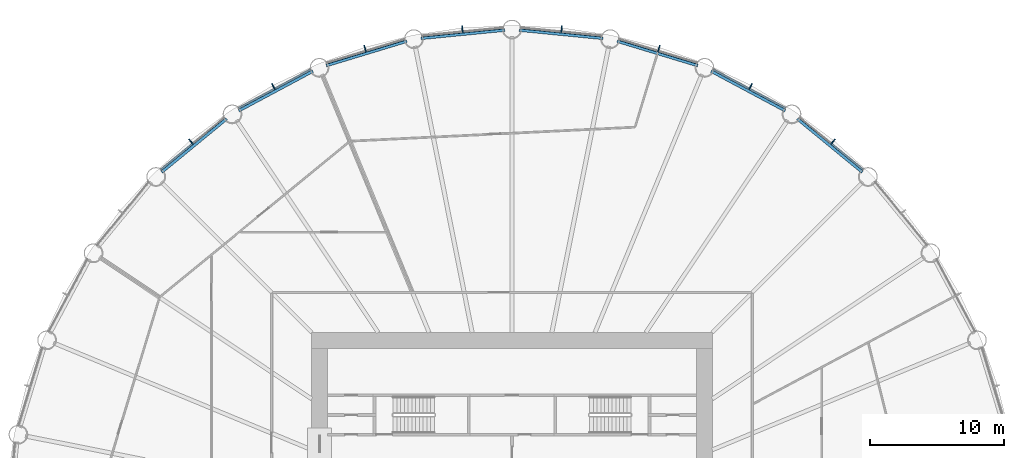
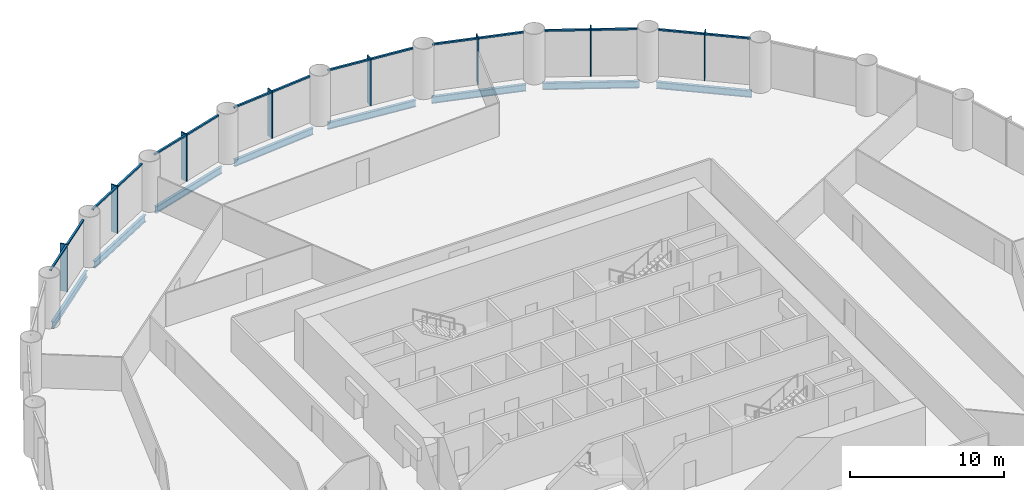
# One storey, part 7 of 14: 24 members, 8 beams, 8 elements without a shape of their own.
"""IFC4 building model written with IfcOpenShell, lengths in metres."""

from ifc_helpers import new_model, si_unit, direction, frame, origin, origin_2d, place, context, subcontext, project, spatial, rectangle, i_section, extrude, material, material_profile, profile_set, type_object, element, aggregate, save


model = new_model("IFC4")

# Units and contexts
model_context = context("Model", 3, precision=1e-05, world=origin(), true_north=direction((0.0, 1.0)))
body_context = subcontext(model_context, "Body", "Model", "MODEL_VIEW")
ifc_project = project(units=[si_unit("LENGTHUNIT", "METRE"), si_unit("AREAUNIT", "SQUARE_METRE"), si_unit("VOLUMEUNIT", "CUBIC_METRE"), si_unit("PLANEANGLEUNIT", "RADIAN"), si_unit("MASSUNIT", "GRAM", prefix="KILO")], contexts=[model_context])

# Site, building, storey
site_placement = place(None, origin())
site = spatial("IfcSite", under=ifc_project, at=site_placement, CompositionType="ELEMENT")
building_placement = place(site_placement, origin())
building = spatial("IfcBuilding", under=site, at=building_placement, Name="Corvane Civic Tower", CompositionType="ELEMENT")
storey_placement = place(building_placement, frame((0.0, 0.0, 81.0)))
storey = spatial("IfcBuildingStorey", under=building, at=storey_placement, Name="L18", CompositionType="ELEMENT", Elevation=81.0)

# Beams
ifc_material_1 = material(Name="Steel ASTM A992 Gr 50", Category="steel")
ifc_material_profile_1 = material_profile(ifc_material_1, i_section(OverallWidth=0.209228515625, OverallDepth=0.533447265625, WebThickness=0.01025390625, FlangeThickness=0.015625, at=origin_2d()), Name="W21X62")
ifc_profile_set_1 = profile_set([ifc_material_profile_1], Name="Steel ASTM A992 Gr 50")
beam_type = type_object("IfcBeamType", Name="EDGE BEAM W21X62", PredefinedType="BEAM", material=ifc_profile_set_1)
beam_1_placement = place(storey_placement, frame((0.54736328125, 37.64599609375, -0.566650390625), z_axis=(0.995186682089, -0.097997284622, 0.0), x_axis=(0.097997284622, 0.995186682089, 0.0)))
element("IfcBeam", 1, at=beam_1_placement, inside=storey, type_object=beam_type, Name="BM-L18-E01", PredefinedType="BEAM", context=body_context, shape_type="SweptSolid", body=[
    extrude(i_section(OverallWidth=0.209228515625, OverallDepth=0.533447265625, WebThickness=0.01025390625, FlangeThickness=0.015625, at=origin_2d()), origin(), (0.0, 0.0, 1.0), 6.29052734375),
])
for number, where, z_axis, x_axis, name in (
    (2, (7.88134765625, 36.81591796875, -0.566650390625), (0.956943740748, -0.290273452184, 0.0), (0.290273452184, 0.956943740748, 0.0), "BM-L18-E02"),
    (3, (14.912353515625, 34.571044921875, -0.566650390625), (0.881916367906, -0.471405897311, 0.0), (0.471405897311, 0.881916367906, 0.0), "BM-L18-E03"),
):
    element("IfcBeam", number, at=place(storey_placement, frame(where, z_axis=z_axis, x_axis=x_axis)), inside=storey, type_object=beam_type, Name=name, PredefinedType="BEAM", context=body_context, shape_type="SweptSolid", body=[
        extrude(i_section(OverallWidth=0.209228515625, OverallDepth=0.533447265625, WebThickness=0.01025390625, FlangeThickness=0.015625, at=origin_2d()), origin(), (0.0, 0.0, 1.0), 6.290283203125),
    ])
for number, where, z_axis, x_axis, name in (
    (4, (21.3701171875, 30.99755859375, -0.566650390625), (0.773015785286, -0.634386787141, 0.0), (0.634386787141, 0.773015785286, 0.0), "BM-L18-E04"),
    (5, (-26.23291015625, 27.0068359375, -0.566650390625), (0.773015785286, 0.634386787141, 0.0), (-0.634386787141, 0.773015785286, 0.0), "BM-L18-E29"),
):
    element("IfcBeam", number, at=place(storey_placement, frame(where, z_axis=z_axis, x_axis=x_axis)), inside=storey, type_object=beam_type, Name=name, PredefinedType="BEAM", context=body_context, shape_type="SweptSolid", body=[
        extrude(i_section(OverallWidth=0.209228515625, OverallDepth=0.533447265625, WebThickness=0.01025390625, FlangeThickness=0.015625, at=origin_2d()), origin(), (0.0, 0.0, 1.0), 6.290771484375),
    ])
for number, where, z_axis, x_axis, name in (
    (6, (-20.4599609375, 31.605712890625, -0.566650390625), (0.881916367906, 0.471405897311, 0.0), (-0.471405897311, 0.881916367906, 0.0), "BM-L18-E30"),
    (7, (-13.90087890625, 34.989990234375, -0.566650390625), (0.956943740748, 0.290273452184, 0.0), (-0.290273452184, 0.956943740748, 0.0), "BM-L18-E31"),
):
    element("IfcBeam", number, at=place(storey_placement, frame(where, z_axis=z_axis, x_axis=x_axis)), inside=storey, type_object=beam_type, Name=name, PredefinedType="BEAM", context=body_context, shape_type="SweptSolid", body=[
        extrude(i_section(OverallWidth=0.209228515625, OverallDepth=0.533447265625, WebThickness=0.01025390625, FlangeThickness=0.015625, at=origin_2d()), origin(), (0.0, 0.0, 1.0), 6.290283203125),
    ])
beam_2_placement = place(storey_placement, frame((-6.8076171875, 37.029541015625, -0.566650390625), z_axis=(0.995186682089, 0.097997284622, 0.0), x_axis=(-0.097997284622, 0.995186682089, 0.0)))
element("IfcBeam", 8, at=beam_2_placement, inside=storey, type_object=beam_type, Name="BM-L18-E32", PredefinedType="BEAM", context=body_context, shape_type="SweptSolid", body=[
    extrude(i_section(OverallWidth=0.209228515625, OverallDepth=0.533447265625, WebThickness=0.01025390625, FlangeThickness=0.015625, at=origin_2d()), origin(), (0.0, 0.0, 1.0), 6.29052734375),
])

# Curtain wall, members
ifc_material_2 = material(Name="Anodised aluminium bronze", Category="aluminium")
curtain_wall_type = type_object("IfcCurtainWallType", Name="TOWER CW-T1 STICK CURTAIN WALL", PredefinedType="NOTDEFINED", material=ifc_material_2)
curtain_wall_1_placement = place(storey_placement, origin())
curtain_wall_1 = element("IfcCurtainWall", 9, at=curtain_wall_1_placement, inside=storey, type_object=curtain_wall_type, Name="Curtain wall CW-T1 L18 bay 01", PredefinedType="NOTDEFINED")
ifc_material_3 = material(Name="Anodised aluminium bronze", Category="aluminium")
ifc_material_profile_2 = material_profile(ifc_material_3, rectangle(XDim=0.139892578125, YDim=0.1201171875, at=origin_2d()), Name="TOWER CW-T1 TRANSOM 140x120")
ifc_profile_set_2 = profile_set([ifc_material_profile_2], Name="Anodised aluminium bronze")
member_type_1 = type_object("IfcMemberType", Name="TOWER CW-T1 TRANSOM 140x120", PredefinedType="USERDEFINED", material=ifc_profile_set_2)
member_1_placement = place(storey_placement, frame((0.6611328125, 37.814697265625, 3.68994140625), z_axis=(0.995191836722, -0.097944923917, 0.0), x_axis=(0.097944923917, 0.995191836722, 0.0)))
member_1 = element("IfcMember", 10, at=member_1_placement, type_object=member_type_1, Name="Transom CW-T1 L18 01.1", ObjectType="TRANSOM", PredefinedType="USERDEFINED", context=body_context, shape_type="SweptSolid", body=[
    extrude(rectangle(XDim=0.139892578125, YDim=0.1201171875, at=origin_2d()), origin(), (0.0, 0.0, 1.0), 3.008544921875),
])
member_2_placement = place(storey_placement, frame((3.73486328125, 37.511962890625, 3.68994140625), z_axis=(0.995191836722, -0.097944923917, 0.0), x_axis=(0.097944923917, 0.995191836722, 0.0)))
member_2 = element("IfcMember", 11, at=member_2_placement, type_object=member_type_1, Name="Transom CW-T1 L18 01.2", ObjectType="TRANSOM", PredefinedType="USERDEFINED", context=body_context, shape_type="SweptSolid", body=[
    extrude(rectangle(XDim=0.139892578125, YDim=0.1201171875, at=origin_2d()), origin(), (0.0, 0.0, 1.0), 3.008544921875),
])

curtain_wall_2_placement = place(storey_placement, origin())
curtain_wall_2 = element("IfcCurtainWall", 12, at=curtain_wall_2_placement, inside=storey, type_object=curtain_wall_type, Name="Curtain wall CW-T1 L18 bay 02", PredefinedType="NOTDEFINED")
member_3_placement = place(storey_placement, frame((8.02587890625, 36.959228515625, 3.68994140625), z_axis=(0.956941780555, -0.290279914268, 0.0), x_axis=(0.290279914268, 0.956941780555, 0.0)))
member_3 = element("IfcMember", 13, at=member_3_placement, type_object=member_type_1, Name="Transom CW-T1 L18 02.1", ObjectType="TRANSOM", PredefinedType="USERDEFINED", context=body_context, shape_type="SweptSolid", body=[
    extrude(rectangle(XDim=0.139892578125, YDim=0.1201171875, at=origin_2d()), origin(), (0.0, 0.0, 1.0), 3.008544921875),
])
member_4_placement = place(storey_placement, frame((10.9814453125, 36.062744140625, 3.68994140625), z_axis=(0.956941780555, -0.290279914268, 0.0), x_axis=(0.290279914268, 0.956941780555, 0.0)))
member_4 = element("IfcMember", 14, at=member_4_placement, type_object=member_type_1, Name="Transom CW-T1 L18 02.2", ObjectType="TRANSOM", PredefinedType="USERDEFINED", context=body_context, shape_type="SweptSolid", body=[
    extrude(rectangle(XDim=0.139892578125, YDim=0.1201171875, at=origin_2d()), origin(), (0.0, 0.0, 1.0), 3.008544921875),
])

curtain_wall_3_placement = place(storey_placement, origin())
curtain_wall_3 = element("IfcCurtainWall", 15, at=curtain_wall_3_placement, inside=storey, type_object=curtain_wall_type, Name="Curtain wall CW-T1 L18 bay 03", PredefinedType="NOTDEFINED")
member_5_placement = place(storey_placement, frame((15.08203125, 34.683349609375, 3.68994140625), z_axis=(0.881923525532, -0.471392506424, 0.0), x_axis=(0.471392506424, 0.881923525532, 0.0)))
member_5 = element("IfcMember", 16, at=member_5_placement, type_object=member_type_1, Name="Transom CW-T1 L18 03.1", ObjectType="TRANSOM", PredefinedType="USERDEFINED", context=body_context, shape_type="SweptSolid", body=[
    extrude(rectangle(XDim=0.139892578125, YDim=0.1201171875, at=origin_2d()), origin(), (0.0, 0.0, 1.0), 3.008544921875),
])
member_6_placement = place(storey_placement, frame((17.805908203125, 33.2275390625, 3.68994140625), z_axis=(0.881923525532, -0.471392506424, 0.0), x_axis=(0.471392506424, 0.881923525532, 0.0)))
member_6 = element("IfcMember", 17, at=member_6_placement, type_object=member_type_1, Name="Transom CW-T1 L18 03.2", ObjectType="TRANSOM", PredefinedType="USERDEFINED", context=body_context, shape_type="SweptSolid", body=[
    extrude(rectangle(XDim=0.139892578125, YDim=0.1201171875, at=origin_2d()), origin(), (0.0, 0.0, 1.0), 3.008544921875),
])

curtain_wall_4_placement = place(storey_placement, origin())
curtain_wall_4 = element("IfcCurtainWall", 18, at=curtain_wall_4_placement, inside=storey, type_object=curtain_wall_type, Name="Curtain wall CW-T1 L18 bay 04", PredefinedType="NOTDEFINED")
member_7_placement = place(storey_placement, frame((21.55859375, 31.074462890625, 3.68994140625), z_axis=(0.773041738279, -0.634355161466, 0.0), x_axis=(0.634355161466, 0.773041738279, 0.0)))
member_7 = element("IfcMember", 19, at=member_7_placement, type_object=member_type_1, Name="Transom CW-T1 L18 04.1", ObjectType="TRANSOM", PredefinedType="USERDEFINED", context=body_context, shape_type="SweptSolid", body=[
    extrude(rectangle(XDim=0.139892578125, YDim=0.1201171875, at=origin_2d()), origin(), (0.0, 0.0, 1.0), 3.008544921875),
])
member_8_placement = place(storey_placement, frame((23.946044921875, 29.115234375, 3.68994140625), z_axis=(0.773001943873, -0.634403652865, 0.0), x_axis=(0.634403652865, 0.773001943873, 0.0)))
member_8 = element("IfcMember", 20, at=member_8_placement, type_object=member_type_1, Name="Transom CW-T1 L18 04.2", ObjectType="TRANSOM", PredefinedType="USERDEFINED", context=body_context, shape_type="SweptSolid", body=[
    extrude(rectangle(XDim=0.139892578125, YDim=0.1201171875, at=origin_2d()), origin(), (0.0, 0.0, 1.0), 3.008544921875),
])

curtain_wall_5_placement = place(storey_placement, origin())
curtain_wall_5 = element("IfcCurtainWall", 21, at=curtain_wall_5_placement, inside=storey, type_object=curtain_wall_type, Name="Curtain wall CW-T1 L18 bay 29", PredefinedType="NOTDEFINED")
member_9_placement = place(storey_placement, frame((-26.271728515625, 27.20654296875, 3.68994140625), z_axis=(0.773001943873, 0.634403652865, 0.0), x_axis=(-0.634403652865, 0.773001943873, 0.0)))
member_9 = element("IfcMember", 22, at=member_9_placement, type_object=member_type_1, Name="Transom CW-T1 L18 29.1", ObjectType="TRANSOM", PredefinedType="USERDEFINED", context=body_context, shape_type="SweptSolid", body=[
    extrude(rectangle(XDim=0.139892578125, YDim=0.1201171875, at=origin_2d()), origin(), (0.0, 0.0, 1.0), 3.008544921875),
])
member_10_placement = place(storey_placement, frame((-23.88427734375, 29.166015625, 3.68994140625), z_axis=(0.773041738279, 0.634355161466, 0.0), x_axis=(-0.634355161466, 0.773041738279, 0.0)))
member_10 = element("IfcMember", 23, at=member_10_placement, type_object=member_type_1, Name="Transom CW-T1 L18 29.2", ObjectType="TRANSOM", PredefinedType="USERDEFINED", context=body_context, shape_type="SweptSolid", body=[
    extrude(rectangle(XDim=0.139892578125, YDim=0.1201171875, at=origin_2d()), origin(), (0.0, 0.0, 1.0), 3.008544921875),
])

curtain_wall_6_placement = place(storey_placement, origin())
curtain_wall_6 = element("IfcCurtainWall", 24, at=curtain_wall_6_placement, inside=storey, type_object=curtain_wall_type, Name="Curtain wall CW-T1 L18 bay 30", PredefinedType="NOTDEFINED")
member_11_placement = place(storey_placement, frame((-20.459228515625, 31.809326171875, 3.68994140625), z_axis=(0.881923525532, 0.471392506424, 0.0), x_axis=(-0.471392506424, 0.881923525532, 0.0)))
member_11 = element("IfcMember", 25, at=member_11_placement, type_object=member_type_1, Name="Transom CW-T1 L18 30.1", ObjectType="TRANSOM", PredefinedType="USERDEFINED", context=body_context, shape_type="SweptSolid", body=[
    extrude(rectangle(XDim=0.139892578125, YDim=0.1201171875, at=origin_2d()), origin(), (0.0, 0.0, 1.0), 3.008544921875),
])
member_12_placement = place(storey_placement, frame((-17.7353515625, 33.26513671875, 3.68994140625), z_axis=(0.881923525532, 0.471392506424, 0.0), x_axis=(-0.471392506424, 0.881923525532, 0.0)))
member_12 = element("IfcMember", 26, at=member_12_placement, type_object=member_type_1, Name="Transom CW-T1 L18 30.2", ObjectType="TRANSOM", PredefinedType="USERDEFINED", context=body_context, shape_type="SweptSolid", body=[
    extrude(rectangle(XDim=0.139892578125, YDim=0.1201171875, at=origin_2d()), origin(), (0.0, 0.0, 1.0), 3.008544921875),
])

curtain_wall_7_placement = place(storey_placement, origin())
curtain_wall_7 = element("IfcCurtainWall", 27, at=curtain_wall_7_placement, inside=storey, type_object=curtain_wall_type, Name="Curtain wall CW-T1 L18 bay 31", PredefinedType="NOTDEFINED")
member_13_placement = place(storey_placement, frame((-13.8603515625, 35.189453125, 3.68994140625), z_axis=(0.956941780555, 0.290279914268, 0.0), x_axis=(-0.290279914268, 0.956941780555, 0.0)))
member_13 = element("IfcMember", 28, at=member_13_placement, type_object=member_type_1, Name="Transom CW-T1 L18 31.1", ObjectType="TRANSOM", PredefinedType="USERDEFINED", context=body_context, shape_type="SweptSolid", body=[
    extrude(rectangle(XDim=0.139892578125, YDim=0.1201171875, at=origin_2d()), origin(), (0.0, 0.0, 1.0), 3.008544921875),
])
member_14_placement = place(storey_placement, frame((-10.90478515625, 36.0859375, 3.68994140625), z_axis=(0.956941780555, 0.290279914268, 0.0), x_axis=(-0.290279914268, 0.956941780555, 0.0)))
member_14 = element("IfcMember", 29, at=member_14_placement, type_object=member_type_1, Name="Transom CW-T1 L18 31.2", ObjectType="TRANSOM", PredefinedType="USERDEFINED", context=body_context, shape_type="SweptSolid", body=[
    extrude(rectangle(XDim=0.139892578125, YDim=0.1201171875, at=origin_2d()), origin(), (0.0, 0.0, 1.0), 3.008544921875),
])

curtain_wall_8_placement = place(storey_placement, origin())
curtain_wall_8 = element("IfcCurtainWall", 30, at=curtain_wall_8_placement, inside=storey, type_object=curtain_wall_type, Name="Curtain wall CW-T1 L18 bay 32", PredefinedType="NOTDEFINED")
member_15_placement = place(storey_placement, frame((-6.72900390625, 37.21728515625, 3.68994140625), z_axis=(0.995191836722, 0.097944923917, 0.0), x_axis=(-0.097944923917, 0.995191836722, 0.0)))
member_15 = element("IfcMember", 31, at=member_15_placement, type_object=member_type_1, Name="Transom CW-T1 L18 32.1", ObjectType="TRANSOM", PredefinedType="USERDEFINED", context=body_context, shape_type="SweptSolid", body=[
    extrude(rectangle(XDim=0.139892578125, YDim=0.1201171875, at=origin_2d()), origin(), (0.0, 0.0, 1.0), 3.008544921875),
])
member_16_placement = place(storey_placement, frame((-3.6552734375, 37.52001953125, 3.68994140625), z_axis=(0.995191836722, 0.097944923917, 0.0), x_axis=(-0.097944923917, 0.995191836722, 0.0)))
member_16 = element("IfcMember", 32, at=member_16_placement, type_object=member_type_1, Name="Transom CW-T1 L18 32.2", ObjectType="TRANSOM", PredefinedType="USERDEFINED", context=body_context, shape_type="SweptSolid", body=[
    extrude(rectangle(XDim=0.139892578125, YDim=0.1201171875, at=origin_2d()), origin(), (0.0, 0.0, 1.0), 3.008544921875),
])

# Member
ifc_material_4 = material(Name="Anodised aluminium bronze", Category="aluminium")
ifc_material_profile_3 = material_profile(ifc_material_4, rectangle(XDim=0.080078125, YDim=0.5, at=origin_2d()), Name="TOWER FIN MULLION 80x500 BRONZE")
ifc_profile_set_3 = profile_set([ifc_material_profile_3], Name="Anodised aluminium bronze")
member_type_2 = type_object("IfcMemberType", Name="TOWER FIN MULLION 80x500 BRONZE", PredefinedType="MULLION", material=ifc_profile_set_3)
member_17_placement = place(storey_placement, frame((3.714599609375, 37.715087890625, 0.0), z_axis=(0.0, 0.0, 1.0), x_axis=(0.995185800248, -0.098006239521, 0.0)))
member_17 = element("IfcMember", 33, at=member_17_placement, type_object=member_type_2, Name="Fin mullion 01 L18", PredefinedType="MULLION", context=body_context, shape_type="SweptSolid", body=[
    extrude(rectangle(XDim=0.080078125, YDim=0.5, at=origin_2d()), origin(), (0.0, 0.0, 1.0), 3.75),
])

aggregate(curtain_wall_1, [member_17, member_1, member_2])

member_18_placement = place(storey_placement, frame((11.001220703125, 36.265625, 0.0), z_axis=(0.0, 0.0, 1.0), x_axis=(0.956942240606, -0.290278397654, 0.0)))
member_18 = element("IfcMember", 34, at=member_18_placement, type_object=member_type_2, Name="Fin mullion 02 L18", PredefinedType="MULLION", context=body_context, shape_type="SweptSolid", body=[
    extrude(rectangle(XDim=0.080078125, YDim=0.5, at=origin_2d()), origin(), (0.0, 0.0, 1.0), 3.75),
])

aggregate(curtain_wall_2, [member_18, member_3, member_4])

member_19_placement = place(storey_placement, frame((17.86474609375, 33.422607421875, 0.0), z_axis=(0.0, 0.0, 1.0), x_axis=(0.881917528864, -0.471403725359, 0.0)))
member_19 = element("IfcMember", 35, at=member_19_placement, type_object=member_type_2, Name="Fin mullion 03 L18", PredefinedType="MULLION", context=body_context, shape_type="SweptSolid", body=[
    extrude(rectangle(XDim=0.080078125, YDim=0.5, at=origin_2d()), origin(), (0.0, 0.0, 1.0), 3.75),
])

aggregate(curtain_wall_3, [member_19, member_5, member_6])

member_20_placement = place(storey_placement, frame((24.0419921875, 29.295166015625, 0.0), z_axis=(0.0, 0.0, 1.0), x_axis=(0.773007224463, -0.634397218569, 0.0)))
member_20 = element("IfcMember", 36, at=member_20_placement, type_object=member_type_2, Name="Fin mullion 04 L18", PredefinedType="MULLION", context=body_context, shape_type="SweptSolid", body=[
    extrude(rectangle(XDim=0.080078125, YDim=0.5, at=origin_2d()), origin(), (0.0, 0.0, 1.0), 3.75),
])

aggregate(curtain_wall_4, [member_20, member_7, member_8])

member_21_placement = place(storey_placement, frame((-24.0419921875, 29.295166015625, 0.0), z_axis=(0.0, 0.0, 1.0), x_axis=(0.773007224463, 0.634397218569, 0.0)))
member_21 = element("IfcMember", 37, at=member_21_placement, type_object=member_type_2, Name="Fin mullion 29 L18", PredefinedType="MULLION", context=body_context, shape_type="SweptSolid", body=[
    extrude(rectangle(XDim=0.080078125, YDim=0.5, at=origin_2d()), origin(), (0.0, 0.0, 1.0), 3.75),
])

aggregate(curtain_wall_5, [member_21, member_9, member_10])

member_22_placement = place(storey_placement, frame((-17.86474609375, 33.422607421875, 0.0), z_axis=(0.0, 0.0, 1.0), x_axis=(0.881917528864, 0.471403725359, 0.0)))
member_22 = element("IfcMember", 38, at=member_22_placement, type_object=member_type_2, Name="Fin mullion 30 L18", PredefinedType="MULLION", context=body_context, shape_type="SweptSolid", body=[
    extrude(rectangle(XDim=0.080078125, YDim=0.5, at=origin_2d()), origin(), (0.0, 0.0, 1.0), 3.75),
])

aggregate(curtain_wall_6, [member_22, member_11, member_12])

member_23_placement = place(storey_placement, frame((-11.001220703125, 36.265625, 0.0), z_axis=(0.0, 0.0, 1.0), x_axis=(0.956942240606, 0.290278397654, 0.0)))
member_23 = element("IfcMember", 39, at=member_23_placement, type_object=member_type_2, Name="Fin mullion 31 L18", PredefinedType="MULLION", context=body_context, shape_type="SweptSolid", body=[
    extrude(rectangle(XDim=0.080078125, YDim=0.5, at=origin_2d()), origin(), (0.0, 0.0, 1.0), 3.75),
])

aggregate(curtain_wall_7, [member_23, member_13, member_14])

member_24_placement = place(storey_placement, frame((-3.714599609375, 37.715087890625, 0.0), z_axis=(0.0, 0.0, 1.0), x_axis=(0.995185800248, 0.098006239521, 0.0)))
member_24 = element("IfcMember", 40, at=member_24_placement, type_object=member_type_2, Name="Fin mullion 32 L18", PredefinedType="MULLION", context=body_context, shape_type="SweptSolid", body=[
    extrude(rectangle(XDim=0.080078125, YDim=0.5, at=origin_2d()), origin(), (0.0, 0.0, 1.0), 3.75),
])

aggregate(curtain_wall_8, [member_24, member_15, member_16])

save(model, "model.ifc")
